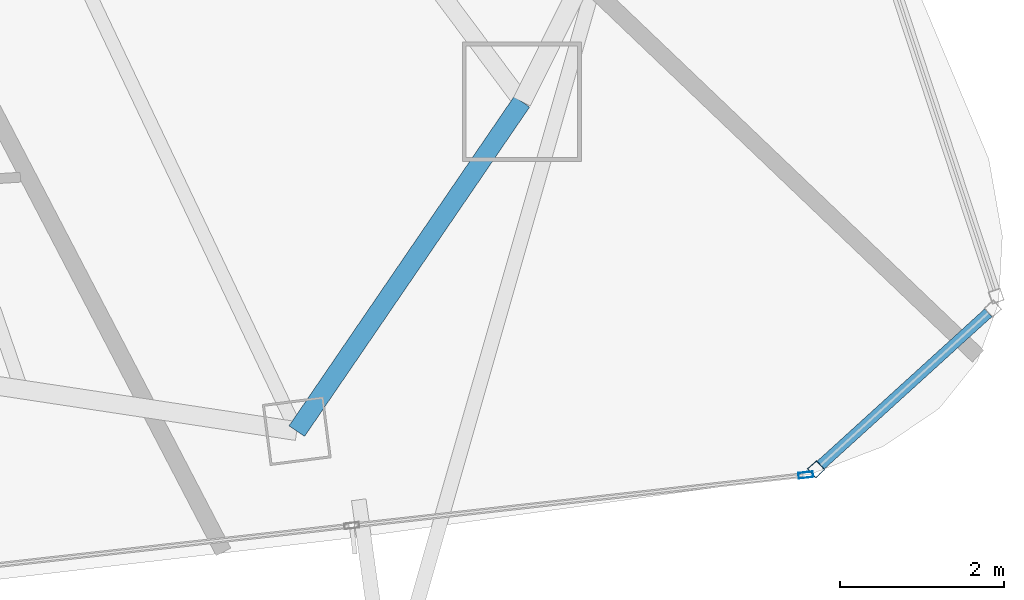
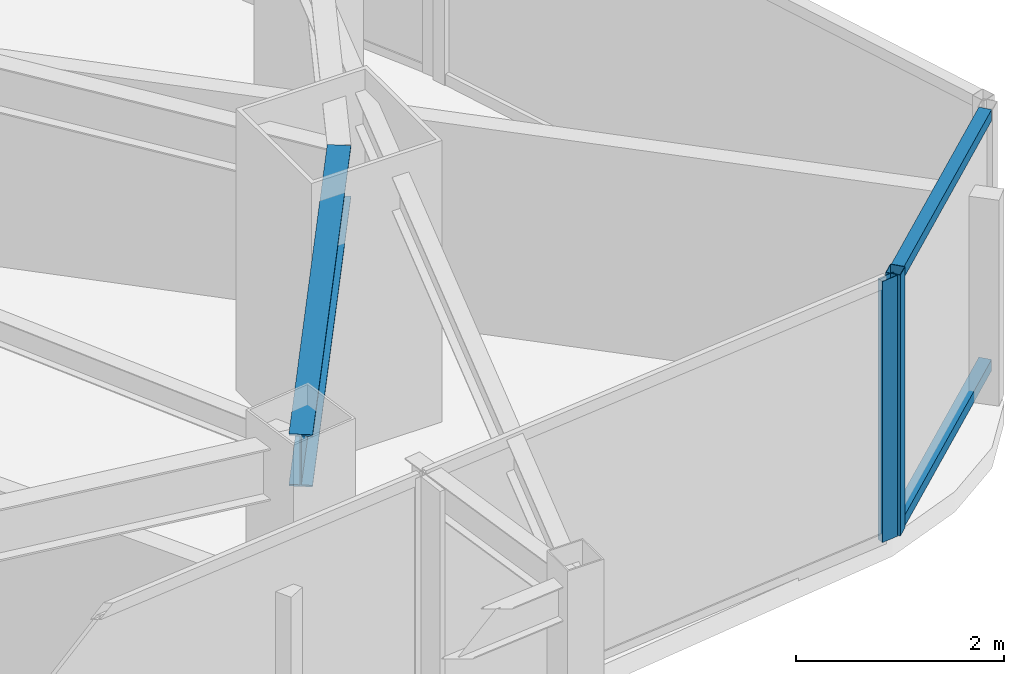
# One storey, part 13 of 29: 4 members, 1 beam, 2 elements without a shape of their own.
"""IFC4 building model written with IfcOpenShell, lengths in metres."""

from ifc_helpers import new_model, si_unit, direction, frame, origin, origin_2d, place, context, subcontext, project, spatial, hollow_rectangle, i_section, extrude, material, layer, layer_set, material_profile, profile_set, type_object, element, aggregate, save


model = new_model("IFC4")

# Units and contexts
model_context = context("Model", 3, precision=1e-05, world=origin(), true_north=direction((0.0, 1.0)))
body_context = subcontext(model_context, "Body", "Model", "MODEL_VIEW")
ifc_project = project(units=[si_unit("LENGTHUNIT", "METRE"), si_unit("AREAUNIT", "SQUARE_METRE"), si_unit("VOLUMEUNIT", "CUBIC_METRE"), si_unit("PLANEANGLEUNIT", "RADIAN"), si_unit("MASSUNIT", "GRAM", prefix="KILO")], contexts=[model_context])

# Site, building, storey
site_placement = place(None, origin())
site = spatial("IfcSite", under=ifc_project, at=site_placement, CompositionType="ELEMENT")
building_placement = place(site_placement, origin())
building = spatial("IfcBuilding", under=site, at=building_placement, Name="Orvanel Arch Residences", CompositionType="ELEMENT")
storey_placement = place(building_placement, frame((0.0, 0.0, 170.449951171875)))
storey = spatial("IfcBuildingStorey", under=building, at=storey_placement, Name="L48", CompositionType="ELEMENT", Elevation=170.449951171875)

# Curtain wall, member
ifc_material_1 = material(Name="Bronze-anodised aluminium AA6063-T6", Category="aluminium")
ifc_layer_1 = layer(ifc_material_1, 0.18994140625)
ifc_layer_set_1 = layer_set([ifc_layer_1], Name="Bronze-anodised aluminium AA6063-T6")
curtain_wall_type_1 = type_object("IfcCurtainWallType", Name="CW5-CRN-SYS", PredefinedType="NOTDEFINED", material=ifc_layer_set_1)
curtain_wall_1_placement = place(storey_placement, origin())
curtain_wall_1 = element("IfcCurtainWall", 1, at=curtain_wall_1_placement, inside=storey, type_object=curtain_wall_type_1, Name="L48 CW5-CRN-SYS Unitised Curtain Wall", PredefinedType="NOTDEFINED")
ifc_material_profile_1 = material_profile(ifc_material_1, hollow_rectangle(XDim=0.14990234375, YDim=0.14990234375, WallThickness=0.0048828125, at=origin_2d()), Name="ALU150x150x5")
ifc_profile_set_1 = profile_set([ifc_material_profile_1], Name="Bronze-anodised aluminium AA6063-T6")
member_type_1 = type_object("IfcMemberType", Name="MUL-150x150", PredefinedType="MULLION", material=ifc_profile_set_1)
member_1_placement = place(storey_placement, frame((55.384521484375, 5.87451171875, 0.0), z_axis=(0.0, 0.0, 1.0), x_axis=(-0.672461234192, 0.740132345266, 0.0)))
member_1 = element("IfcMember", 2, at=member_1_placement, type_object=member_type_1, Name="CW-S5 mullion 1", PredefinedType="MULLION", context=body_context, shape_type="SweptSolid", body=[
    extrude(hollow_rectangle(XDim=0.14990234375, YDim=0.14990234375, WallThickness=0.0048828125, at=origin_2d()), origin(), (0.0, 0.0, 1.0), 3.06005859375),
])

ifc_layer_2 = layer(ifc_material_1, 0.179931640625)
ifc_layer_set_2 = layer_set([ifc_layer_2], Name="Bronze-anodised aluminium AA6063-T6")
curtain_wall_type_2 = type_object("IfcCurtainWallType", Name="CW3-MID-SYS", PredefinedType="NOTDEFINED", material=ifc_layer_set_2)
curtain_wall_2_placement = place(storey_placement, origin())
curtain_wall_2 = element("IfcCurtainWall", 3, at=curtain_wall_2_placement, inside=storey, type_object=curtain_wall_type_2, Name="L48 CW3-MID-SYS Unitised Curtain Wall", PredefinedType="NOTDEFINED")
ifc_material_profile_2 = material_profile(ifc_material_1, hollow_rectangle(XDim=0.070068359375, YDim=0.179931640625, WallThickness=0.00439453125, at=origin_2d()), Name="ALU180x70x4.5")
ifc_profile_set_2 = profile_set([ifc_material_profile_2], Name="Bronze-anodised aluminium AA6063-T6")
member_type_2 = type_object("IfcMemberType", Name="MUL-180x70", PredefinedType="MULLION", material=ifc_profile_set_2)
member_2_placement = place(storey_placement, frame((55.25927734375, 5.80517578125, 0.0), z_axis=(0.0, 0.0, 1.0), x_axis=(-0.110836581045, 0.993838645003, 0.0)))
member_2 = element("IfcMember", 4, at=member_2_placement, type_object=member_type_2, Name="CW-S3 mullion 4", PredefinedType="MULLION", context=body_context, shape_type="SweptSolid", body=[
    extrude(hollow_rectangle(XDim=0.070068359375, YDim=0.179931640625, WallThickness=0.00439453125, at=origin_2d()), origin(), (0.0, 0.0, 1.0), 3.06005859375),
])
aggregate(curtain_wall_2, [member_2])

# Beam
ifc_material_2 = material(Name="Structural steel AS/NZS 3679.1 Grade 300 (300 MPa)", Category="steel")
ifc_material_profile_3 = material_profile(ifc_material_2, i_section(OverallWidth=0.22900390625, OverallDepth=0.612060546875, WebThickness=0.011962890625, FlangeThickness=0.01953125, at=origin_2d()), Name="610UB125")
ifc_profile_set_3 = profile_set([ifc_material_profile_3], Name="Structural steel AS/NZS 3679.1 Grade 300 (300 MPa)")
beam_type = type_object("IfcBeamType", Name="SP-610UB", PredefinedType="SPANDREL", material=ifc_profile_set_3)
beam_placement = place(storey_placement, frame((49.05908203125, 6.339111328125, 2.754150390625), z_axis=(0.564251579852, 0.825602903722, 0.0), x_axis=(-0.825602903722, 0.564251579852, 0.0)))
element("IfcBeam", 5, at=beam_placement, inside=storey, type_object=beam_type, Name="L48 Perimeter Spandrel Beam 08", PredefinedType="SPANDREL", context=body_context, shape_type="SweptSolid", body=[
    extrude(i_section(OverallWidth=0.22900390625, OverallDepth=0.612060546875, WebThickness=0.011962890625, FlangeThickness=0.01953125, at=origin_2d()), origin(), (0.0, 0.0, 1.0), 4.859375),
])

# Member
ifc_material_profile_4 = material_profile(ifc_material_1, hollow_rectangle(XDim=0.1298828125, YDim=0.1298828125, WallThickness=0.00439453125, at=origin_2d()), Name="ALU130x130x4.5")
ifc_profile_set_4 = profile_set([ifc_material_profile_4], Name="Bronze-anodised aluminium AA6063-T6")
member_type_3 = type_object("IfcMemberType", Name="TRN-130x130", PredefinedType="USERDEFINED", material=ifc_profile_set_4)
member_3_placement = place(storey_placement, frame((55.43994140625, 5.9248046875, 0.06494140625), z_axis=(0.740144250824, 0.672448130321, 0.0), x_axis=(-0.672448130321, 0.740144250824, 0.0)))
member_3 = element("IfcMember", 6, at=member_3_placement, type_object=member_type_3, Name="CW-S5 transom 1.1", ObjectType="TRANSOM", PredefinedType="USERDEFINED", context=body_context, shape_type="SweptSolid", body=[
    extrude(hollow_rectangle(XDim=0.1298828125, YDim=0.1298828125, WallThickness=0.00439453125, at=origin_2d()), origin(), (0.0, 0.0, 1.0), 2.7587890625),
])

member_4_placement = place(storey_placement, frame((55.43994140625, 5.9248046875, 2.9951171875), z_axis=(0.740144250824, 0.672448130321, 0.0), x_axis=(-0.672448130321, 0.740144250824, 0.0)))
member_4 = element("IfcMember", 7, at=member_4_placement, type_object=member_type_3, Name="CW-S5 transom 1.2", ObjectType="TRANSOM", PredefinedType="USERDEFINED", context=body_context, shape_type="SweptSolid", body=[
    extrude(hollow_rectangle(XDim=0.1298828125, YDim=0.1298828125, WallThickness=0.00439453125, at=origin_2d()), origin(), (0.0, 0.0, 1.0), 2.7587890625),
])

aggregate(curtain_wall_1, [member_1, member_3, member_4])

save(model, "model.ifc")
